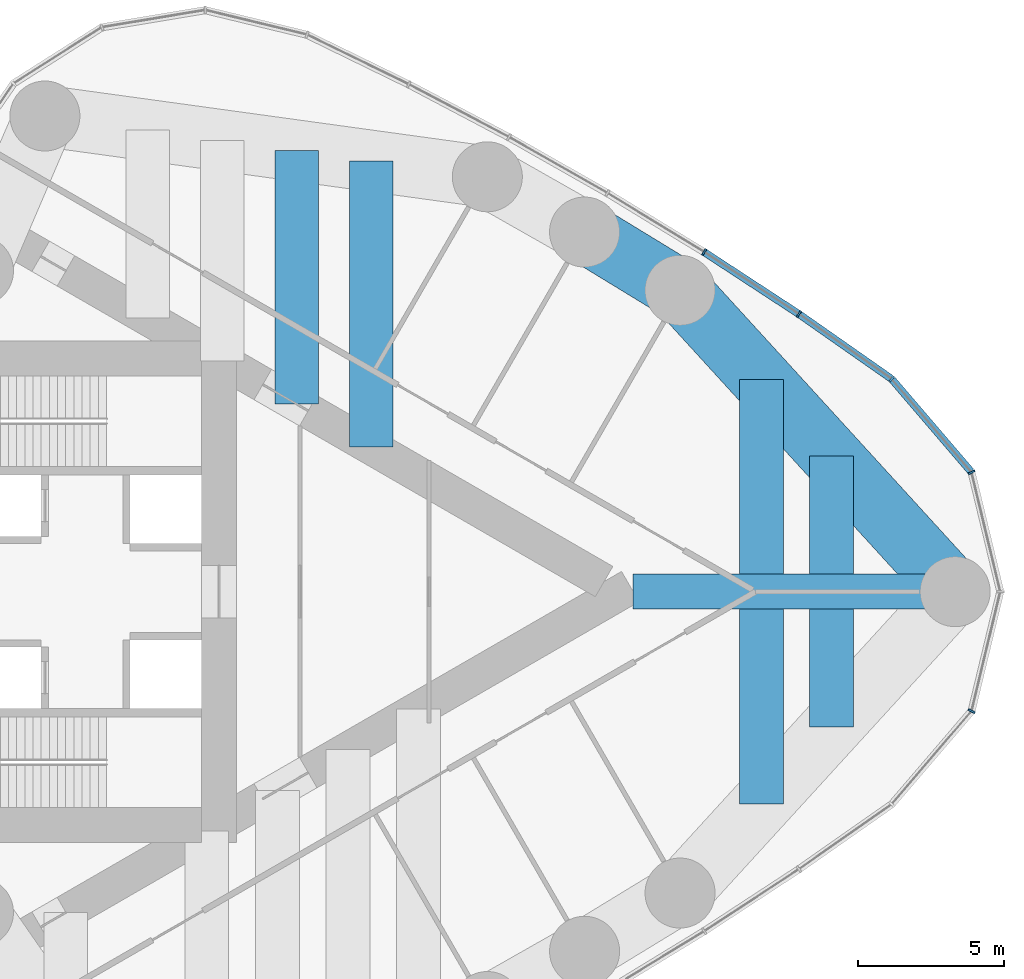
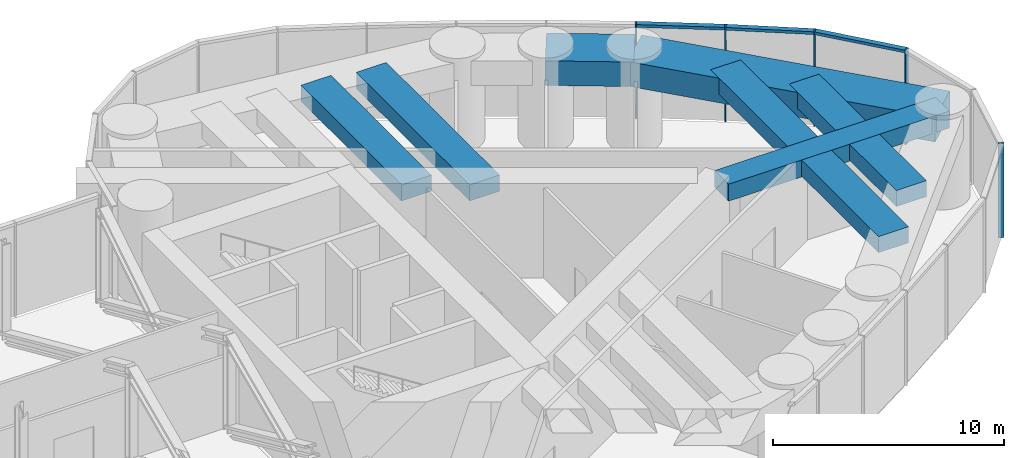
# One storey, part 10 of 19: 9 beams, 8 members, 1 element without a shape of its own.
"""IFC4 building model written with IfcOpenShell, lengths in metres."""

from ifc_helpers import new_model, si_unit, direction, frame, origin, origin_2d, place, context, subcontext, project, spatial, rectangle, extrude, material, material_profile, profile_set, type_object, element, aggregate, save


model = new_model("IFC4")

# Units and contexts
model_context = context("Model", 3, precision=1e-05, world=origin(), true_north=direction((0.0, 1.0)))
body_context = subcontext(model_context, "Body", "Model", "MODEL_VIEW")
ifc_project = project(units=[si_unit("LENGTHUNIT", "METRE"), si_unit("AREAUNIT", "SQUARE_METRE"), si_unit("VOLUMEUNIT", "CUBIC_METRE"), si_unit("PLANEANGLEUNIT", "RADIAN"), si_unit("MASSUNIT", "GRAM", prefix="KILO")], contexts=[model_context])

# Site, building, storey
site_placement = place(None, origin())
site = spatial("IfcSite", under=ifc_project, at=site_placement, CompositionType="ELEMENT")
building_placement = place(site_placement, origin())
building = spatial("IfcBuilding", under=site, at=building_placement, Name="Lancet Gate Hotel", CompositionType="ELEMENT")
storey_placement = place(building_placement, frame((0.0, 0.0, 263.300048828125)))
storey = spatial("IfcBuildingStorey", under=building, at=storey_placement, Name="L69", CompositionType="ELEMENT", Elevation=263.300048828125)

# Curtain wall, members
ifc_material_1 = material(Name="Aluminium curtain wall", Category="aluminium")
curtain_wall_type = type_object("IfcCurtainWallType", Name="Lantern crown glazing", PredefinedType="USERDEFINED", material=ifc_material_1)
curtain_wall_placement = place(storey_placement, origin())
curtain_wall = element("IfcCurtainWall", 1, at=curtain_wall_placement, inside=storey, type_object=curtain_wall_type, Name="T2 L69 curtain wall 1", ObjectType="LANTERN GLAZING", PredefinedType="USERDEFINED")
ifc_material_2 = material(Name="Aluminium mullion", Category="aluminium")
ifc_material_profile_1 = material_profile(ifc_material_2, rectangle(XDim=0.06494140625, YDim=0.25, at=origin_2d()), Name="MULLION 65x250")
ifc_profile_set_1 = profile_set([ifc_material_profile_1], Name="Aluminium mullion")
member_type_1 = type_object("IfcMemberType", Name="Aluminium mullion 65x250", PredefinedType="MULLION", material=ifc_profile_set_1)
member_1_placement = place(storey_placement, frame((63.1064453125, -4.09375, 0.0), z_axis=(0.0, 0.0, 1.0), x_axis=(0.454852851296, 0.890566608215, 0.0)))
member_1 = element("IfcMember", 2, at=member_1_placement, type_object=member_type_1, Name="T2 L69 curtain wall 1 mullion 13", PredefinedType="MULLION", context=body_context, shape_type="SweptSolid", body=[
    extrude(rectangle(XDim=0.06494140625, YDim=0.25, at=origin_2d()), origin(), (0.0, 0.0, 1.0), 5.0),
])
member_2_placement = place(storey_placement, frame((63.1064453125, 4.09375, 0.0), z_axis=(0.0, 0.0, 1.0), x_axis=(-0.454852851296, 0.890566608215, 0.0)))
member_2 = element("IfcMember", 3, at=member_2_placement, type_object=member_type_1, Name="T2 L69 curtain wall 1 mullion 15", PredefinedType="MULLION", context=body_context, shape_type="SweptSolid", body=[
    extrude(rectangle(XDim=0.06494140625, YDim=0.25, at=origin_2d()), origin(), (0.0, 0.0, 1.0), 5.0),
])
member_3_placement = place(storey_placement, frame((60.367431640625, 7.291259765625, 0.0), z_axis=(0.0, 0.0, 1.0), x_axis=(-0.737323173512, 0.675540182226, 0.0)))
member_3 = element("IfcMember", 4, at=member_3_placement, type_object=member_type_1, Name="T2 L69 curtain wall 1 mullion 16", PredefinedType="MULLION", context=body_context, shape_type="SweptSolid", body=[
    extrude(rectangle(XDim=0.06494140625, YDim=0.25, at=origin_2d()), origin(), (0.0, 0.0, 1.0), 5.0),
])
member_4_placement = place(storey_placement, frame((57.185791015625, 9.518310546875, 0.0), z_axis=(0.0, 0.0, 1.0), x_axis=(-0.828154697184, 0.560499596371, 0.0)))
member_4 = element("IfcMember", 5, at=member_4_placement, type_object=member_type_1, Name="T2 L69 curtain wall 1 mullion 17", PredefinedType="MULLION", context=body_context, shape_type="SweptSolid", body=[
    extrude(rectangle(XDim=0.06494140625, YDim=0.25, at=origin_2d()), origin(), (0.0, 0.0, 1.0), 5.0),
])
member_5_placement = place(storey_placement, frame((53.935791015625, 11.644287109375, 0.0), z_axis=(0.0, 0.0, 1.0), x_axis=(-0.845339753513, 0.534229071777, 0.0)))
member_5 = element("IfcMember", 6, at=member_5_placement, type_object=member_type_1, Name="T2 L69 curtain wall 1 mullion 18", PredefinedType="MULLION", context=body_context, shape_type="SweptSolid", body=[
    extrude(rectangle(XDim=0.06494140625, YDim=0.25, at=origin_2d()), origin(), (0.0, 0.0, 1.0), 5.0),
])
ifc_material_3 = material(Name="Aluminium transom", Category="aluminium")
ifc_material_profile_2 = material_profile(ifc_material_3, rectangle(XDim=0.25, YDim=0.14990234375, at=origin_2d()), Name="TRANSOM 250x150")
ifc_profile_set_2 = profile_set([ifc_material_profile_2], Name="Aluminium transom")
member_type_2 = type_object("IfcMemberType", Name="Aluminium transom 250x150", PredefinedType="USERDEFINED", material=ifc_profile_set_2)
member_6_placement = place(storey_placement, frame((63.08544921875, 4.118408203125, 4.925048828125), z_axis=(-0.650592500186, 0.759427019997, 0.0), x_axis=(-0.759427019997, -0.650592500186, 0.0)))
member_6 = element("IfcMember", 7, at=member_6_placement, type_object=member_type_2, Name="T2 L69 curtain wall 1 transom 15", ObjectType="TRANSOM", PredefinedType="USERDEFINED", context=body_context, shape_type="SweptSolid", body=[
    extrude(rectangle(XDim=0.25, YDim=0.14990234375, at=origin_2d()), origin(), (0.0, 0.0, 1.0), 4.1455078125),
])
member_7_placement = place(storey_placement, frame((60.3408203125, 7.31005859375, 4.925048828125), z_axis=(-0.819255948852, 0.573428016642, 0.0), x_axis=(-0.573428016642, -0.819255948852, 0.0)))
member_7 = element("IfcMember", 8, at=member_7_placement, type_object=member_type_2, Name="T2 L69 curtain wall 1 transom 16", ObjectType="TRANSOM", PredefinedType="USERDEFINED", context=body_context, shape_type="SweptSolid", body=[
    extrude(rectangle(XDim=0.25, YDim=0.14990234375, at=origin_2d()), origin(), (0.0, 0.0, 1.0), 3.818603515625),
])
member_8_placement = place(storey_placement, frame((57.158447265625, 9.5361328125, 4.925048828125), z_axis=(-0.836858089593, 0.547419891749, 0.0), x_axis=(-0.547419891749, -0.836858089593, 0.0)))
member_8 = element("IfcMember", 9, at=member_8_placement, type_object=member_type_2, Name="T2 L69 curtain wall 1 transom 17", ObjectType="TRANSOM", PredefinedType="USERDEFINED", context=body_context, shape_type="SweptSolid", body=[
    extrude(rectangle(XDim=0.25, YDim=0.14990234375, at=origin_2d()), origin(), (0.0, 0.0, 1.0), 3.818603515625),
])
aggregate(curtain_wall, [member_1, member_2, member_3, member_4, member_5, member_6, member_7, member_8])

# Beams
ifc_material_4 = material(Name="Concrete C50/60", Category="concrete")
ifc_material_profile_3 = material_profile(ifc_material_4, rectangle(XDim=2.10009765625, YDim=1.300048828125, at=origin_2d()), Name="RC 2100x1300")
ifc_profile_set_3 = profile_set([ifc_material_profile_3], Name="Concrete C50/60")
beam_type_1 = type_object("IfcBeamType", Name="Edge beam RC 2100x1300", PredefinedType="SPANDREL", material=ifc_profile_set_3)
beam_1_placement = place(storey_placement, frame((62.54150390625, 0.0, 4.099853515625), z_axis=(-0.674209372947, 0.738540263919, 0.0), x_axis=(-0.738540263919, -0.674209372947, 0.0)))
element("IfcBeam", 10, at=beam_1_placement, inside=storey, type_object=beam_type_1, Name="T2 edge beam EB1 L69", PredefinedType="SPANDREL", context=body_context, shape_type="SweptSolid", body=[
    extrude(rectangle(XDim=2.10009765625, YDim=1.300048828125, at=origin_2d()), origin(), (0.0, 0.0, 1.0), 13.992431640625),
])
beam_2_placement = place(storey_placement, frame((53.107666015625, 10.333984375, 4.099853515625), z_axis=(-0.853604257265, 0.520922040212, 0.0), x_axis=(-0.520922040212, -0.853604257265, 0.0)))
element("IfcBeam", 11, at=beam_2_placement, inside=storey, type_object=beam_type_1, Name="T2 edge beam EB1 L69", PredefinedType="SPANDREL", context=body_context, shape_type="SweptSolid", body=[
    extrude(rectangle(XDim=2.10009765625, YDim=1.300048828125, at=origin_2d()), origin(), (0.0, 0.0, 1.0), 3.835205078125),
])
ifc_material_5 = material(Name="Concrete C50/60", Category="concrete")
ifc_material_profile_4 = material_profile(ifc_material_5, rectangle(XDim=1.5, YDim=0.85009765625, at=origin_2d()), Name="RC 1500x850")
ifc_profile_set_4 = profile_set([ifc_material_profile_4], Name="Concrete C50/60")
beam_type_2 = type_object("IfcBeamType", Name="Floor beam RC 1500x850", PredefinedType="BEAM", material=ifc_profile_set_4)
beam_3_placement = place(storey_placement, frame((39.9658203125, 6.429443359375, 4.324951171875), z_axis=(0.0, 1.0, 0.0), x_axis=(-1.0, 0.0, 0.0)))
element("IfcBeam", 12, at=beam_3_placement, inside=storey, type_object=beam_type_2, Name="T2 floor beam F06N L69", PredefinedType="BEAM", context=body_context, shape_type="SweptSolid", body=[
    extrude(rectangle(XDim=1.5, YDim=0.85009765625, at=origin_2d()), origin(), (0.0, 0.0, 1.0), 8.694091796875),
])
beam_4_placement = place(storey_placement, frame((42.51904296875, 4.95556640625, 4.324951171875), z_axis=(0.0, 1.0, 0.0), x_axis=(-1.0, 0.0, 0.0)))
element("IfcBeam", 13, at=beam_4_placement, inside=storey, type_object=beam_type_2, Name="T2 floor beam F08N L69", PredefinedType="BEAM", context=body_context, shape_type="SweptSolid", body=[
    extrude(rectangle(XDim=1.5, YDim=0.85009765625, at=origin_2d()), origin(), (0.0, 0.0, 1.0), 9.817138671875),
])
for number, where, z_axis, x_axis, name in (
    (14, (55.90234375, -7.272705078125, 4.324951171875), (0.0, 1.0, 0.0), (-1.0, 0.0, 0.0), "T2 floor beam F10S L69"),
    (15, (55.90234375, 0.60009765625, 4.324951171875), (0.0, 1.0, 0.0), (-1.0, 0.0, 0.0), "T2 floor beam F11N L69"),
):
    element("IfcBeam", number, at=place(storey_placement, frame(where, z_axis=z_axis, x_axis=x_axis)), inside=storey, type_object=beam_type_2, Name=name, PredefinedType="BEAM", context=body_context, shape_type="SweptSolid", body=[
        extrude(rectangle(XDim=1.5, YDim=0.85009765625, at=origin_2d()), origin(), (0.0, 0.0, 1.0), 6.672607421875),
    ])
for number, where, z_axis, x_axis, name in (
    (16, (58.30224609375, -4.643798828125, 4.324951171875), (0.0, 1.0, 0.0), (-1.0, 0.0, 0.0), "T2 floor beam F12S L69"),
    (17, (58.30224609375, 0.60009765625, 4.324951171875), (0.0, 1.0, 0.0), (-1.0, 0.0, 0.0), "T2 floor beam F13N L69"),
):
    element("IfcBeam", number, at=place(storey_placement, frame(where, z_axis=z_axis, x_axis=x_axis)), inside=storey, type_object=beam_type_2, Name=name, PredefinedType="BEAM", context=body_context, shape_type="SweptSolid", body=[
        extrude(rectangle(XDim=1.5, YDim=0.85009765625, at=origin_2d()), origin(), (0.0, 0.0, 1.0), 4.043701171875),
    ])
ifc_material_6 = material(Name="Concrete C50/60", Category="concrete")
ifc_material_profile_5 = material_profile(ifc_material_6, rectangle(XDim=1.199951171875, YDim=0.89990234375, at=origin_2d()), Name="RC 1200x900")
ifc_profile_set_5 = profile_set([ifc_material_profile_5], Name="Concrete C50/60")
beam_type_3 = type_object("IfcBeamType", Name="Radial floor beam RC 1200x900", PredefinedType="BEAM", material=ifc_profile_set_5)
beam_5_placement = place(storey_placement, frame((62.54150390625, 0.0, 4.300048828125), z_axis=(-1.0, 0.0, 0.0), x_axis=(0.0, -1.0, 0.0)))
element("IfcBeam", 18, at=beam_5_placement, inside=storey, type_object=beam_type_3, Name="T2 radial beam CA L69", PredefinedType="BEAM", context=body_context, shape_type="SweptSolid", body=[
    extrude(rectangle(XDim=1.199951171875, YDim=0.89990234375, at=origin_2d()), origin(), (0.0, 0.0, 1.0), 11.039306640625),
])

save(model, "model.ifc")
